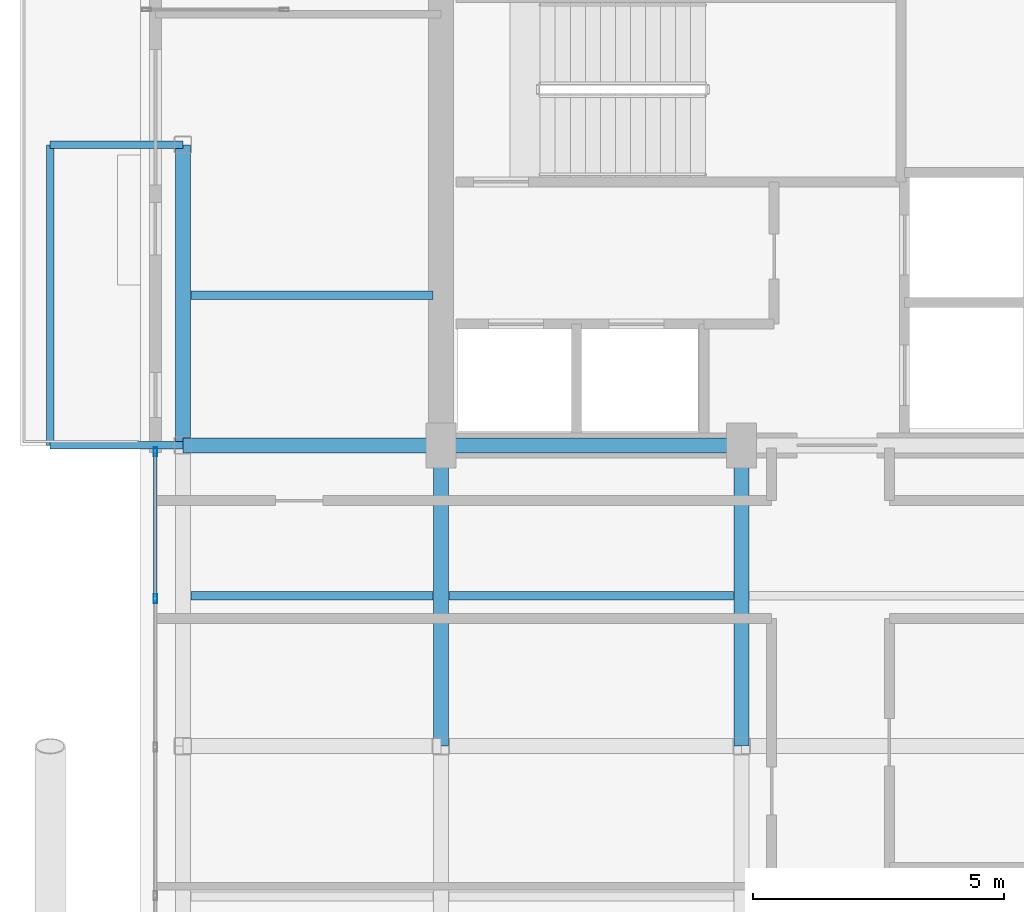
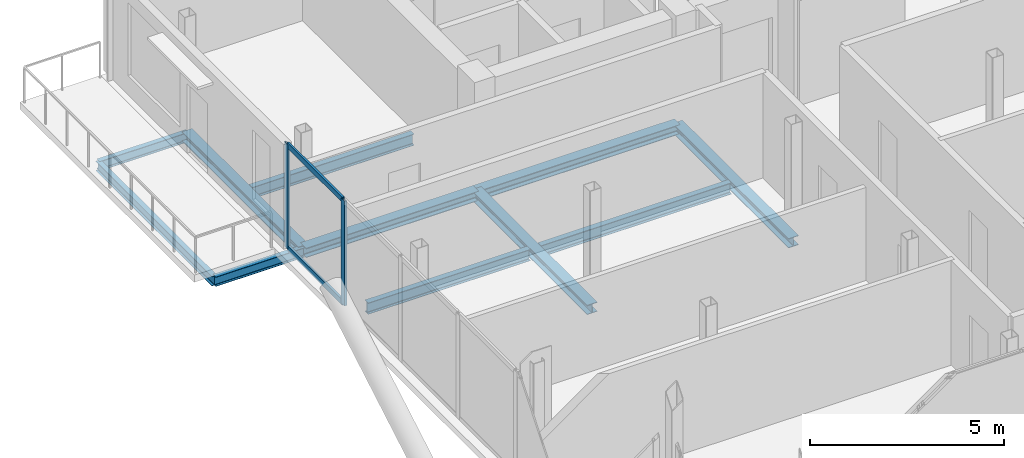
# One storey, part 7 of 19: 11 beams, 4 members, 1 element without a shape of its own.
"""IFC4 building model written with IfcOpenShell, lengths in metres."""

from ifc_helpers import new_model, si_unit, direction, frame, origin, origin_2d, place, context, subcontext, project, spatial, hollow_rectangle, i_section, extrude, material, layer, layer_set, material_profile, profile_set, type_object, element, aggregate, save


model = new_model("IFC4")

# Units and contexts
model_context = context("Model", 3, precision=1e-05, world=origin(), true_north=direction((0.0, 1.0)))
body_context = subcontext(model_context, "Body", "Model", "MODEL_VIEW")
ifc_project = project(units=[si_unit("LENGTHUNIT", "METRE"), si_unit("AREAUNIT", "SQUARE_METRE"), si_unit("VOLUMEUNIT", "CUBIC_METRE"), si_unit("PLANEANGLEUNIT", "RADIAN"), si_unit("MASSUNIT", "GRAM", prefix="KILO"), si_unit("THERMODYNAMICTEMPERATUREUNIT", "KELVIN"), si_unit("POWERUNIT", "WATT")], contexts=[model_context])

# Site, building, storey
site_placement = place(None, origin())
site = spatial("IfcSite", under=ifc_project, at=site_placement, CompositionType="ELEMENT")
building_placement = place(site_placement, origin())
building = spatial("IfcBuilding", under=site, at=building_placement, Name="Svarakhadi Broadcast Tower", CompositionType="ELEMENT")
storey_placement = place(building_placement, frame((0.0, 0.0, 271.199951171875)))
storey = spatial("IfcBuildingStorey", under=building, at=storey_placement, Name="L68", CompositionType="ELEMENT", Elevation=271.199951171875)

# Beams
ifc_material_1 = material(Name="Steel S355J2 (IS 2062 E350C)", Category="steel")
ifc_material_profile_1 = material_profile(ifc_material_1, i_section(OverallWidth=0.169921875, OverallDepth=0.360107421875, WebThickness=0.008056640625, FlangeThickness=0.0126953125, FilletRadius=0.01806640625, at=origin_2d()), Name="NPB 360x170x57")
ifc_profile_set_1 = profile_set([ifc_material_profile_1], Name="Steel S355J2 (IS 2062 E350C)")
beam_type_1 = type_object("IfcBeamType", Name="Beam_NPB360", PredefinedType="BEAM", material=ifc_profile_set_1)
for number, where, z_axis, x_axis, name in (
    (1, (1.010009765625, 15.0, -0.3798828125), (1.0, 0.0, 0.0), (0.0, 1.0, 0.0), "L68 Secondary Composite Beam SB002"),
    (2, (1.010009765625, 21.0, -0.3798828125), (1.0, 0.0, 0.0), (0.0, 1.0, 0.0), "L68 Secondary Composite Beam SB003"),
):
    element("IfcBeam", number, at=place(storey_placement, frame(where, z_axis=z_axis, x_axis=x_axis)), inside=storey, type_object=beam_type_1, Name=name, PredefinedType="BEAM", context=body_context, shape_type="SweptSolid", body=[
        extrude(i_section(OverallWidth=0.169921875, OverallDepth=0.360107421875, WebThickness=0.008056640625, FlangeThickness=0.0126953125, FilletRadius=0.01806640625, at=origin_2d()), origin(), (0.0, 0.0, 1.0), 4.830078125),
    ])
beam_1_placement = place(storey_placement, frame((6.159912109375, 15.0, -0.3798828125), z_axis=(1.0, 0.0, 0.0), x_axis=(0.0, 1.0, 0.0)))
element("IfcBeam", 3, at=beam_1_placement, inside=storey, type_object=beam_type_1, Name="L68 Secondary Composite Beam SB006", PredefinedType="BEAM", context=body_context, shape_type="SweptSolid", body=[
    extrude(i_section(OverallWidth=0.169921875, OverallDepth=0.360107421875, WebThickness=0.008056640625, FlangeThickness=0.0126953125, FilletRadius=0.01806640625, at=origin_2d()), origin(), (0.0, 0.0, 1.0), 5.68017578125),
])

# Curtain wall, members
ifc_material_2 = material(Name="Anodised Bronze Aluminium AA 6063-T6", Category="aluminium")
ifc_layer = layer(ifc_material_2, 0.179931640625)
ifc_layer_set = layer_set([ifc_layer], Name="Anodised Bronze Aluminium AA 6063-T6")
curtain_wall_type = type_object("IfcCurtainWallType", Name="CW_Sys_05", PredefinedType="NOTDEFINED", material=ifc_layer_set)
curtain_wall_placement = place(storey_placement, origin())
curtain_wall = element("IfcCurtainWall", 4, at=curtain_wall_placement, inside=storey, type_object=curtain_wall_type, Name="L68 West Curtain Wall 02", PredefinedType="NOTDEFINED")
ifc_material_profile_2 = material_profile(ifc_material_2, hollow_rectangle(XDim=0.070068359375, YDim=0.179931640625, WallThickness=0.005615234375, at=origin_2d()), Name="ALU MULLION 180x70x6")
ifc_profile_set_2 = profile_set([ifc_material_profile_2], Name="Anodised Bronze Aluminium AA 6063-T6")
member_type_1 = type_object("IfcMemberType", Name="CW_Sys_05_Mul", PredefinedType="MULLION", material=ifc_profile_set_2)
member_1_placement = place(storey_placement, frame((0.300048828125, 14.946044921875, 0.0), z_axis=(0.0, 0.0, 1.0), x_axis=(-1.0, 0.0, 0.0)))
member_1 = element("IfcMember", 5, at=member_1_placement, type_object=member_type_1, Name="CW-05 mullion 5", PredefinedType="MULLION", context=body_context, shape_type="SweptSolid", body=[
    extrude(hollow_rectangle(XDim=0.070068359375, YDim=0.179931640625, WallThickness=0.005615234375, at=origin_2d()), origin(), (0.0, 0.0, 1.0), 3.300048828125),
])
member_2_placement = place(storey_placement, frame((0.300048828125, 17.875, 0.0), z_axis=(0.0, 0.0, 1.0), x_axis=(-1.0, 0.0, 0.0)))
member_2 = element("IfcMember", 6, at=member_2_placement, type_object=member_type_1, Name="CW-05 mullion 6", PredefinedType="MULLION", context=body_context, shape_type="SweptSolid", body=[
    extrude(hollow_rectangle(XDim=0.070068359375, YDim=0.179931640625, WallThickness=0.005615234375, at=origin_2d()), origin(), (0.0, 0.0, 1.0), 3.300048828125),
])
ifc_material_profile_3 = material_profile(ifc_material_2, hollow_rectangle(XDim=0.06494140625, YDim=0.1650390625, WallThickness=0.0048828125, at=origin_2d()), Name="ALU TRANSOM 165x65x5")
ifc_profile_set_3 = profile_set([ifc_material_profile_3], Name="Anodised Bronze Aluminium AA 6063-T6")
member_type_2 = type_object("IfcMemberType", Name="CW_Sys_05_Trn", PredefinedType="USERDEFINED", material=ifc_profile_set_3)
member_3_placement = place(storey_placement, frame((0.300048828125, 14.98095703125, 0.032470703125), z_axis=(0.0, 1.0, 0.0), x_axis=(-1.0, 0.0, 0.0)))
member_3 = element("IfcMember", 7, at=member_3_placement, type_object=member_type_2, Name="CW-05 transom 5.1", ObjectType="TRANSOM", PredefinedType="USERDEFINED", context=body_context, shape_type="SweptSolid", body=[
    extrude(hollow_rectangle(XDim=0.06494140625, YDim=0.1650390625, WallThickness=0.0048828125, at=origin_2d()), origin(), (0.0, 0.0, 1.0), 2.859130859375),
])
member_4_placement = place(storey_placement, frame((0.300048828125, 14.98095703125, 3.267578125), z_axis=(0.0, 1.0, 0.0), x_axis=(-1.0, 0.0, 0.0)))
member_4 = element("IfcMember", 8, at=member_4_placement, type_object=member_type_2, Name="CW-05 transom 5.2", ObjectType="TRANSOM", PredefinedType="USERDEFINED", context=body_context, shape_type="SweptSolid", body=[
    extrude(hollow_rectangle(XDim=0.06494140625, YDim=0.1650390625, WallThickness=0.0048828125, at=origin_2d()), origin(), (0.0, 0.0, 1.0), 2.859130859375),
])
aggregate(curtain_wall, [member_1, member_2, member_3, member_4])

# Beams
ifc_material_profile_4 = material_profile(ifc_material_1, i_section(OverallWidth=0.300048828125, OverallDepth=0.300048828125, WebThickness=0.010986328125, FlangeThickness=0.01904296875, FilletRadius=0.027099609375, at=origin_2d()), Name="WPB 300x300x117")
ifc_profile_set_4 = profile_set([ifc_material_profile_4], Name="Steel S355J2 (IS 2062 E350C)")
beam_type_2 = type_object("IfcBeamType", Name="Girder_WPB300", PredefinedType="USERDEFINED", material=ifc_profile_set_4)
beam_2_placement = place(storey_placement, frame((0.85009765625, 18.0, -0.349853515625), z_axis=(1.0, 0.0, 0.0), x_axis=(0.0, 1.0, 0.0)))
element("IfcBeam", 9, at=beam_2_placement, inside=storey, type_object=beam_type_2, Name="L68 Primary E-W Girder G017", ObjectType="GIRDER", PredefinedType="USERDEFINED", context=body_context, shape_type="SweptSolid", body=[
    extrude(i_section(OverallWidth=0.300048828125, OverallDepth=0.300048828125, WebThickness=0.010986328125, FlangeThickness=0.01904296875, FilletRadius=0.027099609375, at=origin_2d()), origin(), (0.0, 0.0, 1.0), 5.14990234375),
])
for number, where, z_axis, x_axis, name in (
    (10, (6.0, 18.0, -0.349853515625), (1.0, 0.0, 0.0), (0.0, 1.0, 0.0), "L68 Primary E-W Girder G018"),
    (11, (0.85009765625, 18.0, -0.349853515625), (0.0, 1.0, 0.0), (-1.0, 0.0, 0.0), "L68 Primary N-S Girder G028"),
    (12, (6.0, 12.0, -0.349853515625), (0.0, 1.0, 0.0), (-1.0, 0.0, 0.0), "L68 Primary N-S Girder G031"),
    (13, (12.0, 12.0, -0.349853515625), (0.0, 1.0, 0.0), (-1.0, 0.0, 0.0), "L68 Primary N-S Girder G035"),
):
    element("IfcBeam", number, at=place(storey_placement, frame(where, z_axis=z_axis, x_axis=x_axis)), inside=storey, type_object=beam_type_2, Name=name, ObjectType="GIRDER", PredefinedType="USERDEFINED", context=body_context, shape_type="SweptSolid", body=[
        extrude(i_section(OverallWidth=0.300048828125, OverallDepth=0.300048828125, WebThickness=0.010986328125, FlangeThickness=0.01904296875, FilletRadius=0.027099609375, at=origin_2d()), origin(), (0.0, 0.0, 1.0), 6.0),
    ])
ifc_material_profile_5 = material_profile(ifc_material_1, i_section(OverallWidth=0.14990234375, OverallDepth=0.300048828125, WebThickness=0.007080078125, FlangeThickness=0.0107421875, FilletRadius=0.014892578125, at=origin_2d()), Name="NPB 300x150x37")
ifc_profile_set_5 = profile_set([ifc_material_profile_5], Name="Steel S355J2 (IS 2062 E350C)")
beam_type_3 = type_object("IfcBeamType", Name="Spandrel_NPB300", PredefinedType="SPANDREL", material=ifc_profile_set_5)
for number, where, z_axis, x_axis, name in (
    (14, (0.85009765625, 18.0, -0.375), (-1.0, 0.0, 0.0), (0.0, -1.0, 0.0), "L68 Balcony Cantilever Bracket 2A"),
    (15, (0.85009765625, 24.0, -0.375), (-1.0, 0.0, 0.0), (0.0, -1.0, 0.0), "L68 Balcony Cantilever Bracket 2B"),
):
    element("IfcBeam", number, at=place(storey_placement, frame(where, z_axis=z_axis, x_axis=x_axis)), inside=storey, type_object=beam_type_3, Name=name, PredefinedType="SPANDREL", context=body_context, shape_type="SweptSolid", body=[
        extrude(i_section(OverallWidth=0.14990234375, OverallDepth=0.300048828125, WebThickness=0.007080078125, FlangeThickness=0.0107421875, FilletRadius=0.014892578125, at=origin_2d()), origin(), (0.0, 0.0, 1.0), 2.650146484375),
    ])
beam_3_placement = place(storey_placement, frame((-1.800048828125, 18.0, -0.375), z_axis=(0.0, 1.0, 0.0), x_axis=(-1.0, 0.0, 0.0)))
element("IfcBeam", 16, at=beam_3_placement, inside=storey, type_object=beam_type_3, Name="L68 Balcony Outer Spandrel 2F", PredefinedType="SPANDREL", context=body_context, shape_type="SweptSolid", body=[
    extrude(i_section(OverallWidth=0.14990234375, OverallDepth=0.300048828125, WebThickness=0.007080078125, FlangeThickness=0.0107421875, FilletRadius=0.014892578125, at=origin_2d()), origin(), (0.0, 0.0, 1.0), 6.0),
])

save(model, "model.ifc")
